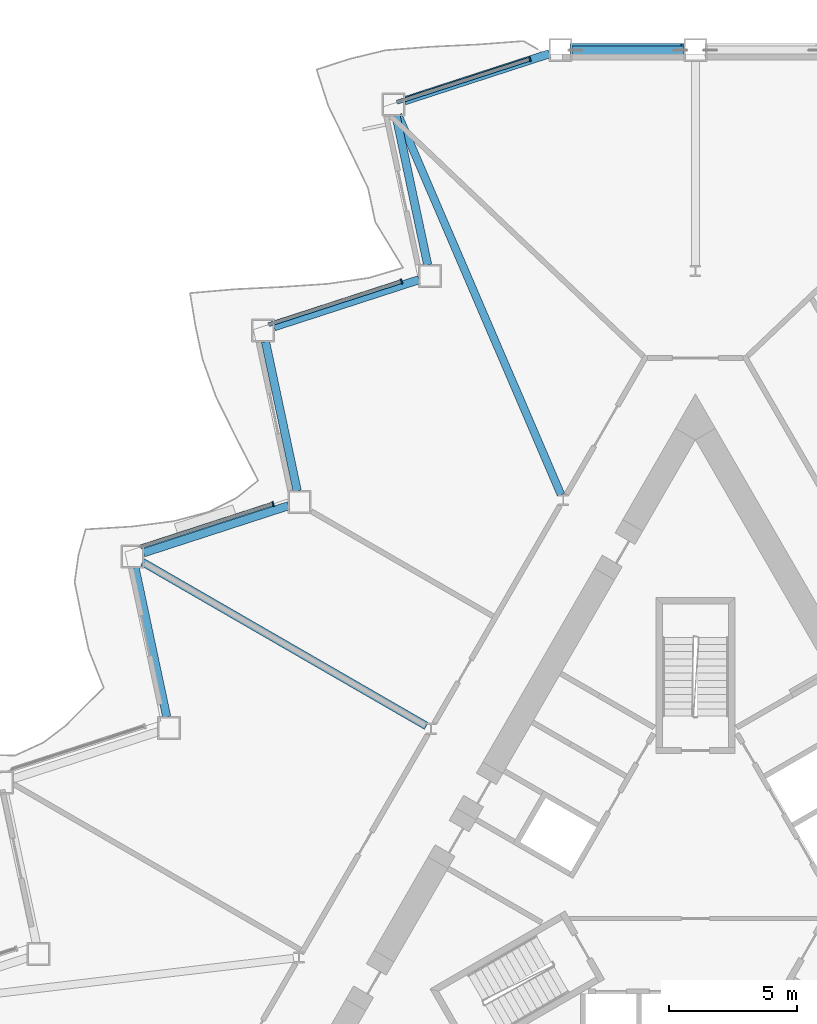
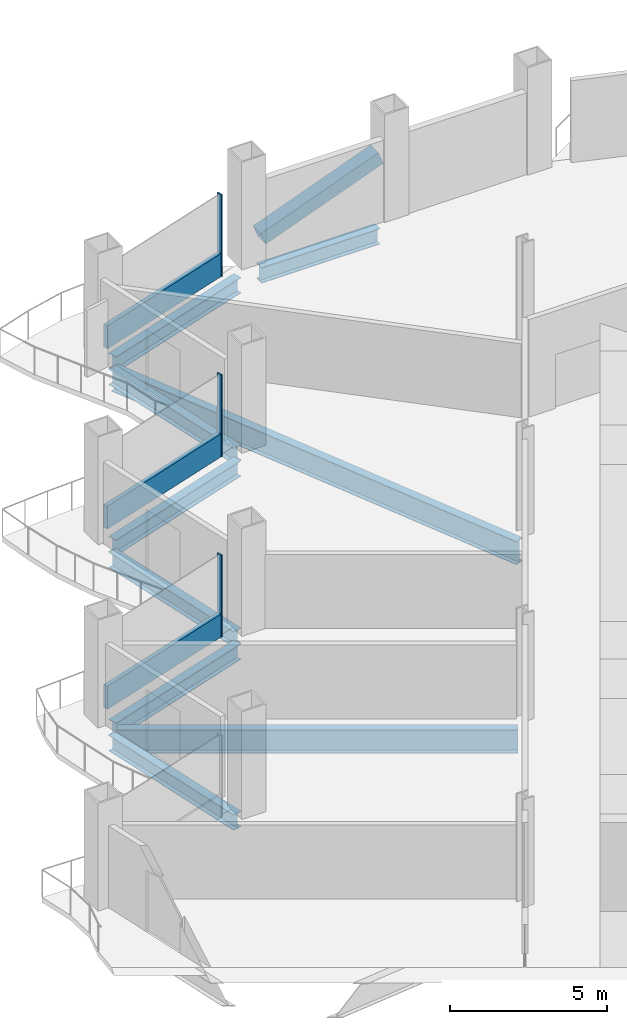
# One storey, part 7 of 21: 9 beams, 7 members, 3 elements without a shape of their own.
"""IFC4 building model written with IfcOpenShell, lengths in metres."""

from ifc_helpers import new_model, si_unit, direction, frame, origin, origin_2d, place, context, subcontext, project, spatial, rectangle, hollow_rectangle, i_section, extrude, material, layer, layer_set, material_profile, profile_set, type_object, element, aggregate, save


model = new_model("IFC4")

# Units and contexts
model_context = context("Model", 3, precision=1e-05, world=origin(), true_north=direction((0.0, 1.0)))
body_context = subcontext(model_context, "Body", "Model", "MODEL_VIEW")
ifc_project = project(units=[si_unit("LENGTHUNIT", "METRE"), si_unit("AREAUNIT", "SQUARE_METRE"), si_unit("VOLUMEUNIT", "CUBIC_METRE"), si_unit("PLANEANGLEUNIT", "RADIAN"), si_unit("MASSUNIT", "GRAM", prefix="KILO")], contexts=[model_context])

# Site, building, storey
site_placement = place(None, origin())
site = spatial("IfcSite", under=ifc_project, at=site_placement, CompositionType="ELEMENT")
building_placement = place(site_placement, origin())
building = spatial("IfcBuilding", under=site, at=building_placement, Name="Cormorant Prow Tower", CompositionType="ELEMENT")
storey_placement = place(building_placement, frame((0.0, 0.0, 120.60009765625)))
storey = spatial("IfcBuildingStorey", under=building, at=storey_placement, Name="L25", CompositionType="ELEMENT", Elevation=120.60009765625)

# Member
ifc_material_1 = material(Name="Structural steel ASTM A500 Gr C", Category="steel")
ifc_material_profile_1 = material_profile(ifc_material_1, hollow_rectangle(XDim=0.508056640625, YDim=0.508056640625, WallThickness=0.014892578125, at=origin_2d()), Name="HSS20x20x5/8")
ifc_profile_set_1 = profile_set([ifc_material_profile_1], Name="Structural steel ASTM A500 Gr C")
member_type_1 = type_object("IfcMemberType", Name="Chamfer brace HSS20x20x5/8", PredefinedType="BRACE", material=ifc_profile_set_1)
member_1_placement = place(storey_placement, frame((-4.8017578125, 32.487060546875, 0.7763671875), z_axis=(0.935564597435, 0.0, 0.3531556088), x_axis=(0.0, 1.0, 0.0)))
element("IfcMember", 1, at=member_1_placement, inside=storey, type_object=member_type_1, Name="Chamfer brace BR1 at N01 L25", PredefinedType="BRACE", context=body_context, shape_type="SweptSolid", body=[
    extrude(hollow_rectangle(XDim=0.508056640625, YDim=0.508056640625, WallThickness=0.014892578125, at=origin_2d()), origin(), (0.0, 0.0, 1.0), 4.632568359375),
])

# Curtain wall, member
ifc_material_2 = material(Name="Aluminium 6063-T6", Category="aluminium")
ifc_layer = layer(ifc_material_2, 0.199951171875)
ifc_layer_set = layer_set([ifc_layer], Name="Aluminium 6063-T6")
curtain_wall_type = type_object("IfcCurtainWallType", Name="Office unitised curtain wall 200", PredefinedType="NOTDEFINED", material=ifc_layer_set)
curtain_wall_1_placement = place(storey_placement, origin())
curtain_wall_1 = element("IfcCurtainWall", 2, at=curtain_wall_1_placement, inside=storey, type_object=curtain_wall_type, Name="Office curtain wall WNW00", PredefinedType="NOTDEFINED")
ifc_material_3 = material(Name="Aluminium 6063-T6", Category="aluminium")
ifc_material_profile_2 = material_profile(ifc_material_3, rectangle(XDim=0.199951171875, YDim=0.06005859375, at=origin_2d()), Name="Office mullion 60x200")
ifc_profile_set_2 = profile_set([ifc_material_profile_2], Name="Aluminium 6063-T6")
member_type_2 = type_object("IfcMemberType", Name="Office mullion 60x200", PredefinedType="MULLION", material=ifc_profile_set_2)
member_2_placement = place(storey_placement, frame((-6.469970703125, 32.1357421875, 0.0), z_axis=(0.0, 0.0, 1.0), x_axis=(0.309017025349, -0.951056506231, 0.0)))
member_2 = element("IfcMember", 3, at=member_2_placement, type_object=member_type_2, Name="Office mullion WNW00", PredefinedType="MULLION", context=body_context, shape_type="SweptSolid", body=[
    extrude(rectangle(XDim=0.199951171875, YDim=0.06005859375, at=origin_2d()), origin(), (0.0, 0.0, 1.0), 3.188720703125),
])

curtain_wall_2_placement = place(storey_placement, origin())
curtain_wall_2 = element("IfcCurtainWall", 4, at=curtain_wall_2_placement, inside=storey, type_object=curtain_wall_type, Name="Office curtain wall WNW02", PredefinedType="NOTDEFINED")
member_3_placement = place(storey_placement, frame((-11.488037109375, 23.444091796875, 0.0), z_axis=(0.0, 0.0, 1.0), x_axis=(0.309017025349, -0.951056506231, 0.0)))
member_3 = element("IfcMember", 5, at=member_3_placement, type_object=member_type_2, Name="Office mullion WNW02", PredefinedType="MULLION", context=body_context, shape_type="SweptSolid", body=[
    extrude(rectangle(XDim=0.199951171875, YDim=0.06005859375, at=origin_2d()), origin(), (0.0, 0.0, 1.0), 3.188720703125),
])

curtain_wall_3_placement = place(storey_placement, origin())
curtain_wall_3 = element("IfcCurtainWall", 6, at=curtain_wall_3_placement, inside=storey, type_object=curtain_wall_type, Name="Office curtain wall WNW04", PredefinedType="NOTDEFINED")
member_4_placement = place(storey_placement, frame((-16.506103515625, 14.752685546875, 0.0), z_axis=(0.0, 0.0, 1.0), x_axis=(0.309017025349, -0.951056506231, 0.0)))
member_4 = element("IfcMember", 7, at=member_4_placement, type_object=member_type_2, Name="Office mullion WNW04", PredefinedType="MULLION", context=body_context, shape_type="SweptSolid", body=[
    extrude(rectangle(XDim=0.199951171875, YDim=0.06005859375, at=origin_2d()), origin(), (0.0, 0.0, 1.0), 3.188720703125),
])

# Member
ifc_material_4 = material(Name="Terracotta", Category="masonry")
ifc_material_profile_3 = material_profile(ifc_material_4, rectangle(XDim=0.159912109375, YDim=0.89990234375, at=origin_2d()), Name="Office terracotta spandrel rail 160x900")
ifc_profile_set_3 = profile_set([ifc_material_profile_3], Name="Terracotta")
member_type_3 = type_object("IfcMemberType", Name="Office terracotta spandrel rail 160x900", PredefinedType="USERDEFINED", material=ifc_profile_set_3)
member_5_placement = place(storey_placement, frame((-6.49853515625, 32.12646484375, 0.449951171875), z_axis=(-0.951056573288, -0.309016818968, 0.0), x_axis=(0.309016818968, -0.951056573288, 0.0)))
member_5 = element("IfcMember", 8, at=member_5_placement, type_object=member_type_3, Name="Office spandrel rail WNW00", ObjectType="TRANSOM", PredefinedType="USERDEFINED", context=body_context, shape_type="SweptSolid", body=[
    extrude(rectangle(XDim=0.159912109375, YDim=0.89990234375, at=origin_2d()), origin(), (0.0, 0.0, 1.0), 5.420654296875),
])

aggregate(curtain_wall_1, [member_2, member_5])

member_6_placement = place(storey_placement, frame((-11.5166015625, 23.434814453125, 0.449951171875), z_axis=(-0.951056573288, -0.309016818968, 0.0), x_axis=(0.309016818968, -0.951056573288, 0.0)))
member_6 = element("IfcMember", 9, at=member_6_placement, type_object=member_type_3, Name="Office spandrel rail WNW02", ObjectType="TRANSOM", PredefinedType="USERDEFINED", context=body_context, shape_type="SweptSolid", body=[
    extrude(rectangle(XDim=0.159912109375, YDim=0.89990234375, at=origin_2d()), origin(), (0.0, 0.0, 1.0), 5.420654296875),
])

aggregate(curtain_wall_2, [member_3, member_6])

member_7_placement = place(storey_placement, frame((-16.53466796875, 14.743408203125, 0.449951171875), z_axis=(-0.951056573288, -0.309016818968, 0.0), x_axis=(0.309016818968, -0.951056573288, 0.0)))
member_7 = element("IfcMember", 10, at=member_7_placement, type_object=member_type_3, Name="Office spandrel rail WNW04", ObjectType="TRANSOM", PredefinedType="USERDEFINED", context=body_context, shape_type="SweptSolid", body=[
    extrude(rectangle(XDim=0.159912109375, YDim=0.89990234375, at=origin_2d()), origin(), (0.0, 0.0, 1.0), 5.420654296875),
])

aggregate(curtain_wall_3, [member_4, member_7])

# Beams
ifc_material_5 = material(Name="Structural steel ASTM A992 Gr 50", Category="steel")
ifc_material_profile_4 = material_profile(ifc_material_5, i_section(OverallWidth=0.3046875, OverallDepth=0.914794921875, WebThickness=0.0166015625, FlangeThickness=0.02587890625, at=origin_2d()), Name="W36x160")
ifc_profile_set_4 = profile_set([ifc_material_profile_4], Name="Structural steel ASTM A992 Gr 50")
beam_type_1 = type_object("IfcBeamType", Name="Radial floor beam W36x160", PredefinedType="BEAM", material=ifc_profile_set_4)
beam_1_placement = place(storey_placement, frame((-5.25, 15.107666015625, -0.857421875), z_axis=(-0.394273140268, 0.918993302948, 0.0), x_axis=(-0.918993302948, -0.394273140268, 0.0)))
element("IfcBeam", 11, at=beam_1_placement, inside=storey, type_object=beam_type_1, Name="Radial floor beam FB1 2 L25", PredefinedType="BEAM", context=body_context, shape_type="SweptSolid", body=[
    extrude(i_section(OverallWidth=0.3046875, OverallDepth=0.914794921875, WebThickness=0.0166015625, FlangeThickness=0.02587890625, at=origin_2d()), origin(), (0.0, 0.0, 1.0), 16.153564453125),
])
beam_2_placement = place(storey_placement, frame((-10.516845703125, 6.07177734375, -0.857421875), z_axis=(-0.866021760006, 0.500006311156, 0.0), x_axis=(-0.500006311156, -0.866021760006, 0.0)))
element("IfcBeam", 12, at=beam_2_placement, inside=storey, type_object=beam_type_1, Name="Radial floor beam FB1 3 L25", PredefinedType="BEAM", context=body_context, shape_type="SweptSolid", body=[
    extrude(i_section(OverallWidth=0.3046875, OverallDepth=0.914794921875, WebThickness=0.0166015625, FlangeThickness=0.02587890625, at=origin_2d()), origin(), (0.0, 0.0, 1.0), 12.805419921875),
])
ifc_material_6 = material(Name="Structural steel ASTM A992 Gr 50", Category="steel")
ifc_material_profile_5 = material_profile(ifc_material_6, i_section(OverallWidth=0.32373046875, OverallDepth=0.611083984375, WebThickness=0.0126953125, FlangeThickness=0.01904296875, at=origin_2d()), Name="W24x104")
ifc_profile_set_5 = profile_set([ifc_material_profile_5], Name="Structural steel ASTM A992 Gr 50")
beam_type_2 = type_object("IfcBeamType", Name="Spandrel beam W24x104", PredefinedType="SPANDREL", material=ifc_profile_set_5)
beam_3_placement = place(storey_placement, frame((-0.449951171875, 32.487060546875, -0.70556640625), z_axis=(-1.0, 0.0, 0.0), x_axis=(0.0, -1.0, 0.0)))
element("IfcBeam", 13, at=beam_3_placement, inside=storey, type_object=beam_type_2, Name="Spandrel beam SB1 N01-WNW00 L25", PredefinedType="SPANDREL", context=body_context, shape_type="SweptSolid", body=[
    extrude(i_section(OverallWidth=0.32373046875, OverallDepth=0.611083984375, WebThickness=0.0126953125, FlangeThickness=0.01904296875, at=origin_2d()), origin(), (0.0, 0.0, 1.0), 4.36962890625),
])
beam_4_placement = place(storey_placement, frame((-5.69775390625, 32.347900390625, -0.70556640625), z_axis=(-0.951055430656, -0.309020335608, 0.0), x_axis=(0.309020335608, -0.951055430656, 0.0)))
element("IfcBeam", 14, at=beam_4_placement, inside=storey, type_object=beam_type_2, Name="Spandrel beam SB1 WNW00-WNW01 L25", PredefinedType="SPANDREL", context=body_context, shape_type="SweptSolid", body=[
    extrude(i_section(OverallWidth=0.32373046875, OverallDepth=0.611083984375, WebThickness=0.0126953125, FlangeThickness=0.01904296875, at=origin_2d()), origin(), (0.0, 0.0, 1.0), 5.96240234375),
])
beam_5_placement = place(storey_placement, frame((-11.702880859375, 29.926025390625, -0.70556640625), z_axis=(0.207920947907, -0.978145633033, 0.0), x_axis=(0.978145633033, 0.207920947907, 0.0)))
element("IfcBeam", 15, at=beam_5_placement, inside=storey, type_object=beam_type_2, Name="Spandrel beam SB1 WNW01-WNW02 L25", PredefinedType="SPANDREL", context=body_context, shape_type="SweptSolid", body=[
    extrude(i_section(OverallWidth=0.32373046875, OverallDepth=0.611083984375, WebThickness=0.0126953125, FlangeThickness=0.01904296875, at=origin_2d()), origin(), (0.0, 0.0, 1.0), 5.962646484375),
])
beam_6_placement = place(storey_placement, frame((-10.797607421875, 23.5146484375, -0.70556640625), z_axis=(-0.95104730696, -0.309045336358, 0.0), x_axis=(0.309045336358, -0.95104730696, 0.0)))
element("IfcBeam", 16, at=beam_6_placement, inside=storey, type_object=beam_type_2, Name="Spandrel beam SB1 WNW02-WNW03 L25", PredefinedType="SPANDREL", context=body_context, shape_type="SweptSolid", body=[
    extrude(i_section(OverallWidth=0.32373046875, OverallDepth=0.611083984375, WebThickness=0.0126953125, FlangeThickness=0.01904296875, at=origin_2d()), origin(), (0.0, 0.0, 1.0), 5.962890625),
])
for number, where, z_axis, x_axis, name in (
    (17, (-16.802734375, 21.0927734375, -0.70556640625), (0.207920947907, -0.978145633033, 0.0), (0.978145633033, 0.207920947907, 0.0), "Spandrel beam SB1 WNW03-WNW04 L25"),
    (18, (-15.8974609375, 14.68115234375, -0.70556640625), (-0.951059340519, -0.309008302174, 0.0), (0.309008302174, -0.951059340519, 0.0), "Spandrel beam SB1 WNW04-WNW05 L25"),
):
    element("IfcBeam", number, at=place(storey_placement, frame(where, z_axis=z_axis, x_axis=x_axis)), inside=storey, type_object=beam_type_2, Name=name, PredefinedType="SPANDREL", context=body_context, shape_type="SweptSolid", body=[
        extrude(i_section(OverallWidth=0.32373046875, OverallDepth=0.611083984375, WebThickness=0.0126953125, FlangeThickness=0.01904296875, at=origin_2d()), origin(), (0.0, 0.0, 1.0), 5.962646484375),
    ])
beam_7_placement = place(storey_placement, frame((-21.90283203125, 12.259521484375, -0.70556640625), z_axis=(0.207912620873, -0.978147403044, 0.0), x_axis=(0.978147403044, 0.207912620873, 0.0)))
element("IfcBeam", 19, at=beam_7_placement, inside=storey, type_object=beam_type_2, Name="Spandrel beam SB1 WNW05-WNW06 L25", PredefinedType="SPANDREL", context=body_context, shape_type="SweptSolid", body=[
    extrude(i_section(OverallWidth=0.32373046875, OverallDepth=0.611083984375, WebThickness=0.0126953125, FlangeThickness=0.01904296875, at=origin_2d()), origin(), (0.0, 0.0, 1.0), 5.962890625),
])

save(model, "model.ifc")
